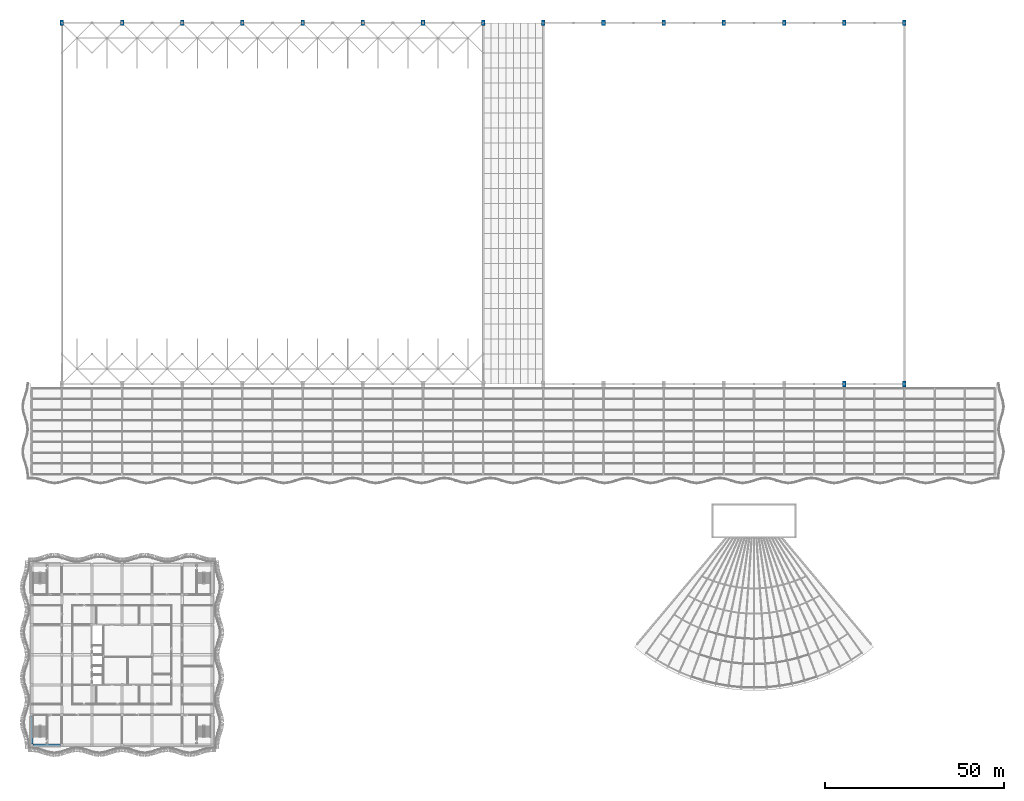
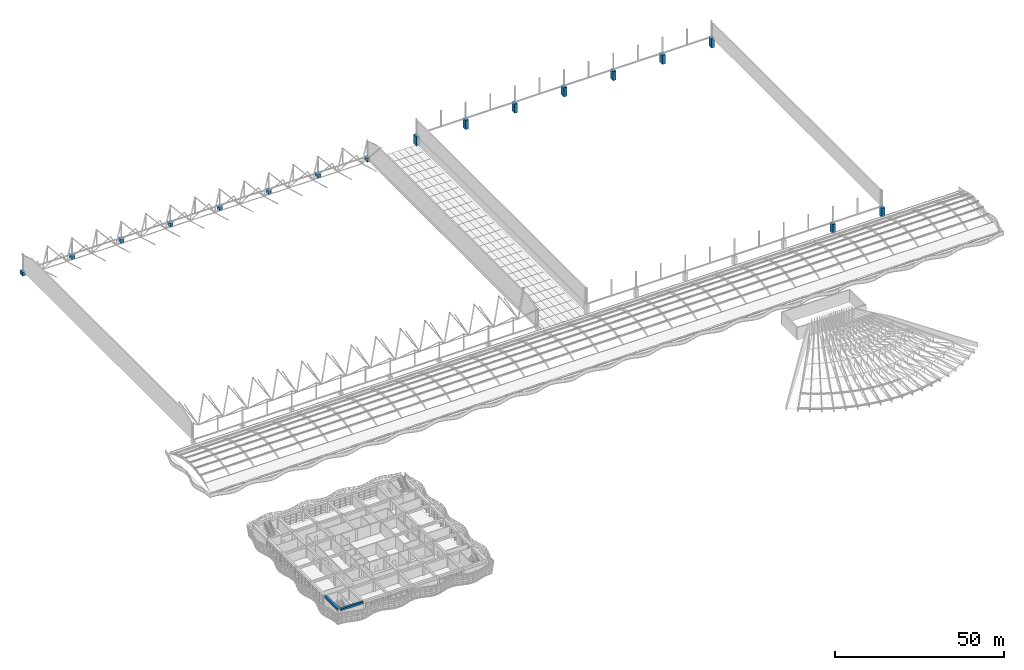
# One storey, part 2 of 163: 17 columns, 2 beams.
"""IFC4 building model written with IfcOpenShell, lengths in metres."""

import ifcopenshell
import ifcopenshell.guid

model = None  # the IFC model being written
_history = None  # IfcOwnerHistory: only IFC2X3 demands one
_inside = {}  # id of a spatial element -> (the spatial element, [elements in it])
_under = {}  # id of a project, library or spatial element -> (it, [spatial elements below it])
_declared = {}  # id of a project -> (the project, [libraries it declares])
_typed = {}  # id of a type object -> (the type object, [elements of that type])
_made_of = {}  # id of a material, layer set ... -> (it, [elements and type objects made of it])


def new_model(schema):
    """Start an empty IFC model of exactly this schema.

    Asked for "IFC4X3", IfcOpenShell would pick the latest addendum, in which some entities
    have other attributes; the version numbers below select the first issue.
    IFC2X3 requires an IfcOwnerHistory on every rooted entity: one is made here for all.
    """
    global model, _history
    if schema == "IFC4X3":
        model = ifcopenshell.file(schema_version=(4, 3, 0, 0))
    else:
        model = ifcopenshell.file(schema=schema)
    _inside.clear()
    _under.clear()
    _declared.clear()
    _typed.clear()
    _made_of.clear()
    _history = None
    if model.schema == "IFC2X3":
        org = make("IfcOrganization", Name="unknown")
        user = make(
            "IfcPersonAndOrganization",
            ThePerson=make("IfcPerson", FamilyName="unknown"),
            TheOrganization=org,
        )
        app = make(
            "IfcApplication",
            ApplicationDeveloper=org,
            Version="unknown",
            ApplicationFullName="unknown",
            ApplicationIdentifier="unknown",
        )
        _history = make(
            "IfcOwnerHistory",
            OwningUser=user,
            OwningApplication=app,
            ChangeAction="ADDED",
            CreationDate=0,
        )
    return model


def make(cls, **values):
    """One entity of the class cls with the attributes given. An attribute that is None is left unset."""
    return model.create_entity(
        cls, **{name: value for name, value in values.items() if value is not None}
    )


def rooted(cls, **values):
    """An entity with a GlobalId (a new one), such as an element, a storey or a relation."""
    return make(cls, GlobalId=ifcopenshell.guid.new(), OwnerHistory=_history, **values)


def si_unit(unit_type, name, prefix=None):
    """IfcSIUnit, for example si_unit("LENGTHUNIT", "METRE", prefix="MILLI")."""
    return make("IfcSIUnit", UnitType=unit_type, Prefix=prefix, Name=name)


def assignment(units):
    """IfcUnitAssignment: the units of a project."""
    return None if units is None else make("IfcUnitAssignment", Units=units)


def point(xyz):
    """IfcCartesianPoint."""
    return None if xyz is None else make("IfcCartesianPoint", Coordinates=xyz)


def direction(xyz):
    """IfcDirection."""
    return None if xyz is None else make("IfcDirection", DirectionRatios=xyz)


def frame(location, z_axis=None, x_axis=None):
    """IfcAxis2Placement3D, a coordinate frame: its origin and axes. An axis left out is left unset."""
    return make(
        "IfcAxis2Placement3D",
        Location=point(location),
        Axis=direction(z_axis),
        RefDirection=direction(x_axis),
    )


def frame_2d(location, x_axis=None):
    """IfcAxis2Placement2D, a coordinate frame in the plane: its origin and x axis."""
    return make(
        "IfcAxis2Placement2D", Location=point(location), RefDirection=direction(x_axis)
    )


def origin():
    """The frame at (0, 0, 0) with its axes left unset."""
    return frame((0.0, 0.0, 0.0))


def origin_2d():
    """The frame at (0, 0) in the plane with its x axis left unset."""
    return frame_2d((0.0, 0.0))


def place(relative_to, where):
    """IfcLocalPlacement: puts the frame where relative to a parent placement (None: the world)."""
    return make(
        "IfcLocalPlacement", PlacementRelTo=relative_to, RelativePlacement=where
    )


def context(
    kind, dimensions, precision=None, world=None, true_north=None, identifier=None
):
    """IfcGeometricRepresentationContext, for example the 3D "Model" context."""
    return make(
        "IfcGeometricRepresentationContext",
        ContextIdentifier=identifier,
        ContextType=kind,
        CoordinateSpaceDimension=dimensions,
        Precision=precision,
        WorldCoordinateSystem=world,
        TrueNorth=true_north,
    )


def subcontext(parent, identifier, kind, view, scale=None):
    """IfcGeometricRepresentationSubContext, for example "Body" below "Model"."""
    return make(
        "IfcGeometricRepresentationSubContext",
        ContextIdentifier=identifier,
        ContextType=kind,
        ParentContext=parent,
        TargetScale=scale,
        TargetView=view,
    )


def project(units=None, contexts=None):
    """IfcProject with its units and contexts."""
    return rooted(
        "IfcProject",
        Name="project",
        RepresentationContexts=contexts,
        UnitsInContext=assignment(units),
    )


def spatial(cls, under=None, at=None, **own):
    """A site, building, storey or space (cls), placed at a placement, below another one or the project."""
    s = rooted(cls, ObjectPlacement=at, **own)
    if under is not None:
        _under.setdefault(under.id(), (under, []))[1].append(s)
    return s


def profile(cls, at=None, kind="AREA", **sizes):
    """A parametric profile (cls). Its sizes go by their IFC names, for example OverallWidth=200.0."""
    return make(cls, ProfileType=kind, Position=at, **sizes)


def rectangle(**sizes):
    """IfcRectangleProfileDef."""
    return profile("IfcRectangleProfileDef", **sizes)


def extrude(swept, where, along, depth):
    """IfcExtrudedAreaSolid: the profile swept, set in the frame where, extruded along a direction by depth."""
    return make(
        "IfcExtrudedAreaSolid",
        SweptArea=swept,
        Position=where,
        ExtrudedDirection=direction(along),
        Depth=depth,
    )


def shape(context_of_items, identifier, shape_type, items):
    """IfcShapeRepresentation: the items that make up one representation, for example the "Body"."""
    return make(
        "IfcShapeRepresentation",
        ContextOfItems=context_of_items,
        RepresentationIdentifier=identifier,
        RepresentationType=shape_type,
        Items=items,
    )


def material(Name=None, Category=None):
    """IfcMaterial."""
    return make("IfcMaterial", Name=Name, Category=Category)


def material_profile(
    of_material, cross_section, Name=None, Category=None, Priority=None
):
    """IfcMaterialProfile: a cross section and its material."""
    return make(
        "IfcMaterialProfile",
        Name=Name,
        Material=of_material,
        Profile=cross_section,
        Priority=Priority,
        Category=Category,
    )


def profile_set(profiles, Name=None, composite=None):
    """IfcMaterialProfileSet."""
    return make(
        "IfcMaterialProfileSet",
        Name=Name,
        MaterialProfiles=profiles,
        CompositeProfile=composite,
    )


def made_of(thing, what):
    """Note that an element or type object is made of a material, layer set ...; save() writes the relation."""
    if what is not None:
        _made_of.setdefault(what.id(), (what, []))[1].append(thing)
    return thing


def type_object(cls, material=None, **own):
    """A type object (cls), such as IfcWallType, which elements share."""
    return made_of(rooted(cls, **own), material)


def element(
    cls,
    number,
    at=None,
    inside=None,
    cuts=None,
    type_object=None,
    material=None,
    context=None,
    identifier="Body",
    shape_type=None,
    held_by="IfcProductDefinitionShape",
    body=None,
    shapes=None,
    **own,
):
    """One element of the class cls, such as IfcWall. Its Tag is "e" and its number.

    at: its placement. inside: the storey or other place that contains it. cuts: it is an
    opening in that element (IfcRelVoidsElement). A single representation is given by context,
    identifier, shape_type and body (its items); several are given by shapes. held_by: the class
    of the entity that holds the representations. save() writes the other relations.
    """
    e = rooted(cls, Tag="e%d" % number, ObjectPlacement=at, **own)
    if body is not None:
        shapes = [shape(context, identifier, shape_type, body)]
    if shapes is not None:
        e.Representation = make(held_by, Representations=shapes)
    if inside is not None:
        _inside.setdefault(inside.id(), (inside, []))[1].append(e)
    if cuts is not None:
        rooted(
            "IfcRelVoidsElement", RelatingBuildingElement=cuts, RelatedOpeningElement=e
        )
    if type_object is not None:
        _typed.setdefault(type_object.id(), (type_object, []))[1].append(e)
    return made_of(e, material)


def aggregate(whole, parts):
    """IfcRelAggregates: a whole, such as a stair, and the parts it consists of."""
    return rooted("IfcRelAggregates", RelatingObject=whole, RelatedObjects=parts)


def save(model, path):
    """Write the relations noted so far, then the file.

    IfcRelAggregates (storeys below a building ...), IfcRelContainedInSpatialStructure (elements
    in a storey), IfcRelDefinesByType, IfcRelAssociatesMaterial and IfcRelDeclares: one each for
    every whole, place, type object, material and project.
    """
    for whole, parts in _under.values():
        aggregate(whole, parts)
    for where, things in _inside.values():
        rooted(
            "IfcRelContainedInSpatialStructure",
            RelatedElements=things,
            RelatingStructure=where,
        )
    for kind, things in _typed.values():
        rooted("IfcRelDefinesByType", RelatedObjects=things, RelatingType=kind)
    for what, things in _made_of.values():
        rooted("IfcRelAssociatesMaterial", RelatedObjects=things, RelatingMaterial=what)
    for by, libraries in _declared.values():
        rooted("IfcRelDeclares", RelatingContext=by, RelatedDefinitions=libraries)
    model.write(path)


model = new_model("IFC4")

# Units and contexts
model_context = context("Model", 3, precision=1e-05, world=origin(), true_north=direction((0.0, 1.0)))
body_context = subcontext(model_context, "Body", "Model", "MODEL_VIEW")
ifc_project = project(units=[si_unit("LENGTHUNIT", "METRE"), si_unit("AREAUNIT", "SQUARE_METRE"), si_unit("VOLUMEUNIT", "CUBIC_METRE"), si_unit("PLANEANGLEUNIT", "RADIAN"), si_unit("MASSUNIT", "GRAM", prefix="KILO")], contexts=[model_context])

# Site, building, storey
site_placement = place(None, origin())
site = spatial("IfcSite", under=ifc_project, at=site_placement, CompositionType="ELEMENT")
building_placement = place(site_placement, origin())
building = spatial("IfcBuilding", under=site, at=building_placement, Name="Rain Tree Exposition and Congress Centre", CompositionType="ELEMENT")
storey_placement = place(building_placement, frame((0.0, 0.0, 10.5)))
storey = spatial("IfcBuildingStorey", under=building, at=storey_placement, Name="L02", CompositionType="ELEMENT", Elevation=10.5)

# Columns
ifc_material_1 = material(Name="Precast concrete C50/60", Category="concrete")
ifc_material_profile_1 = material_profile(ifc_material_1, rectangle(XDim=1.0, YDim=1.60009765625, at=origin_2d()), Name="RC 1000x1600")
ifc_profile_set_1 = profile_set([ifc_material_profile_1], Name="Precast concrete C50/60")
column_type = type_object("IfcColumnType", Name="Precast column 1000x1600", PredefinedType="COLUMN", material=ifc_profile_set_1)
for number, where, z_axis, x_axis, name in (
    (1, (8.39990234375, 201.60009765625, 0.0), (0.0, 0.0, 1.0), (1.0, 0.0, 0.0), "Expressed column 9"),
    (2, (25.199951171875, 201.60009765625, 0.0), (0.0, 0.0, 1.0), (1.0, 0.0, 0.0), "Expressed column 10"),
    (3, (42.0, 201.60009765625, 0.0), (0.0, 0.0, 1.0), (1.0, 0.0, 0.0), "Expressed column 11"),
    (4, (58.800048828125, 201.60009765625, 0.0), (0.0, 0.0, 1.0), (1.0, 0.0, 0.0), "Expressed column 12"),
    (5, (75.60009765625, 201.60009765625, 0.0), (0.0, 0.0, 1.0), (1.0, 0.0, 0.0), "Expressed column 13"),
    (6, (92.39990234375, 201.60009765625, 0.0), (0.0, 0.0, 1.0), (1.0, 0.0, 0.0), "Expressed column 14"),
    (7, (109.199951171875, 201.60009765625, 0.0), (0.0, 0.0, 1.0), (1.0, 0.0, 0.0), "Expressed column 15"),
    (8, (126.0, 201.60009765625, 0.0), (0.0, 0.0, 1.0), (1.0, 0.0, 0.0), "Expressed column 16"),
):
    element("IfcColumn", number, at=place(storey_placement, frame(where, z_axis=z_axis, x_axis=x_axis)), inside=storey, type_object=column_type, Name=name, PredefinedType="COLUMN", context=body_context, shape_type="SweptSolid", body=[
        extrude(rectangle(XDim=1.0, YDim=1.60009765625, at=origin_2d()), origin(), (0.0, 0.0, 1.0), 1.300048828125),
    ])
for number, where, z_axis, x_axis, name in (
    (9, (226.800048828125, 100.800048828125, 0.0), (0.0, 0.0, 1.0), (1.0, 0.0, 0.0), "Expressed column 6"),
    (10, (243.60009765625, 100.800048828125, 0.0), (0.0, 0.0, 1.0), (1.0, 0.0, 0.0), "Expressed column 7"),
    (11, (142.800048828125, 201.60009765625, 0.0), (0.0, 0.0, 1.0), (1.0, 0.0, 0.0), "Expressed column 8"),
    (12, (159.60009765625, 201.60009765625, 0.0), (0.0, 0.0, 1.0), (1.0, 0.0, 0.0), "Expressed column 9"),
    (13, (176.39990234375, 201.60009765625, 0.0), (0.0, 0.0, 1.0), (1.0, 0.0, 0.0), "Expressed column 10"),
    (14, (193.199951171875, 201.60009765625, 0.0), (0.0, 0.0, 1.0), (1.0, 0.0, 0.0), "Expressed column 11"),
    (15, (210.0, 201.60009765625, 0.0), (0.0, 0.0, 1.0), (1.0, 0.0, 0.0), "Expressed column 12"),
    (16, (226.800048828125, 201.60009765625, 0.0), (0.0, 0.0, 1.0), (1.0, 0.0, 0.0), "Expressed column 13"),
    (17, (243.60009765625, 201.60009765625, 0.0), (0.0, 0.0, 1.0), (1.0, 0.0, 0.0), "Expressed column 14"),
):
    element("IfcColumn", number, at=place(storey_placement, frame(where, z_axis=z_axis, x_axis=x_axis)), inside=storey, type_object=column_type, Name=name, PredefinedType="COLUMN", context=body_context, shape_type="SweptSolid", body=[
        extrude(rectangle(XDim=1.0, YDim=1.60009765625, at=origin_2d()), origin(), (0.0, 0.0, 1.0), 3.300048828125),
    ])

# Beams
ifc_material_2 = material(Name="Precast concrete C50/60", Category="concrete")
ifc_material_profile_2 = material_profile(ifc_material_2, rectangle(XDim=0.699951171875, YDim=0.699951171875, at=origin_2d()), Name="RC 700x700")
ifc_profile_set_2 = profile_set([ifc_material_profile_2], Name="Precast concrete C50/60")
beam_type = type_object("IfcBeamType", Name="Precast spandrel beam 700x700", PredefinedType="SPANDREL", material=ifc_profile_set_2)
for number, where, z_axis, x_axis, name in (
    (18, (0.35009765625, 0.0, 4.14990234375), (1.0, 0.0, 0.0), (0.0, 1.0, 0.0), "wing/beam/L02/L03/001"),
    (19, (0.0, 0.35009765625, 4.14990234375), (0.0, 1.0, 0.0), (-1.0, 0.0, 0.0), "wing/beam/L02/L03/002"),
):
    element("IfcBeam", number, at=place(storey_placement, frame(where, z_axis=z_axis, x_axis=x_axis)), inside=storey, type_object=beam_type, Name=name, PredefinedType="SPANDREL", context=body_context, shape_type="SweptSolid", body=[
        extrude(rectangle(XDim=0.699951171875, YDim=0.699951171875, at=origin_2d()), origin(), (0.0, 0.0, 1.0), 7.699951171875),
    ])

save(model, "model.ifc")
